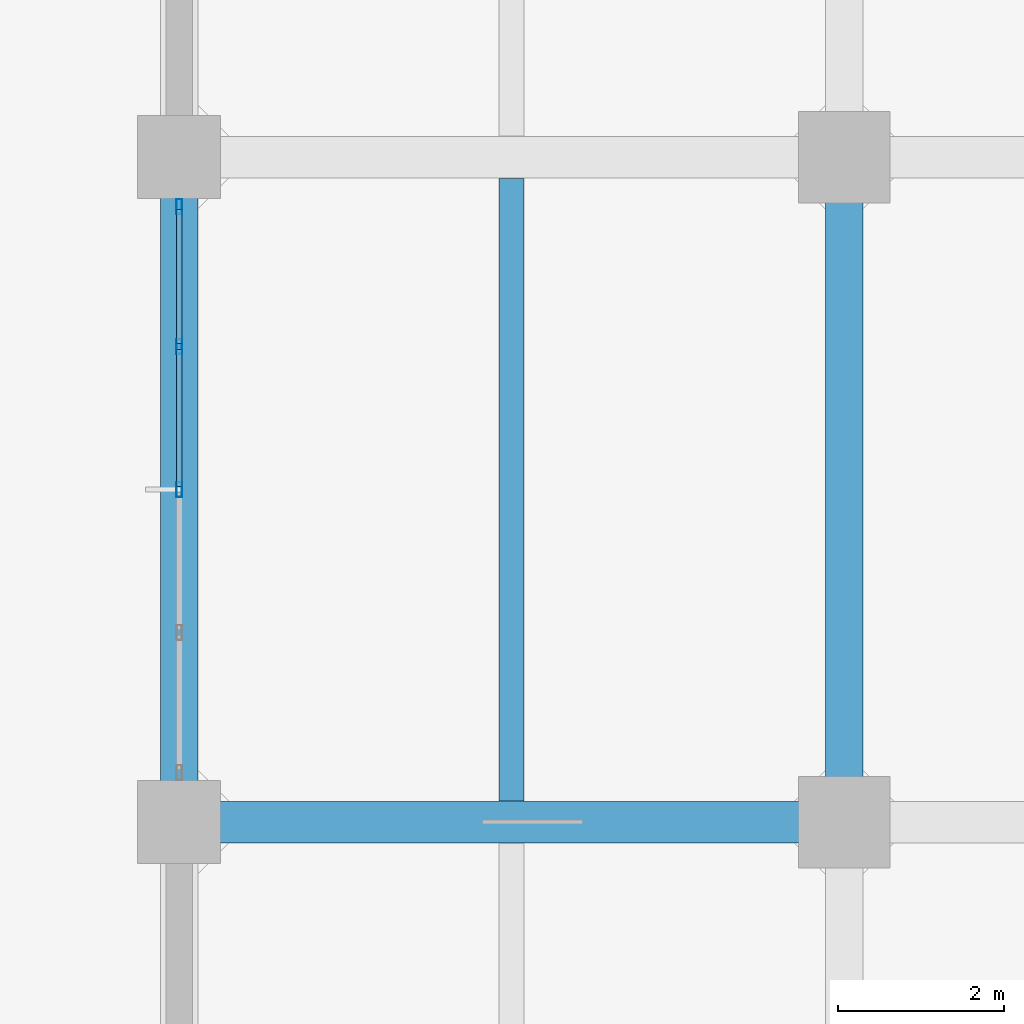
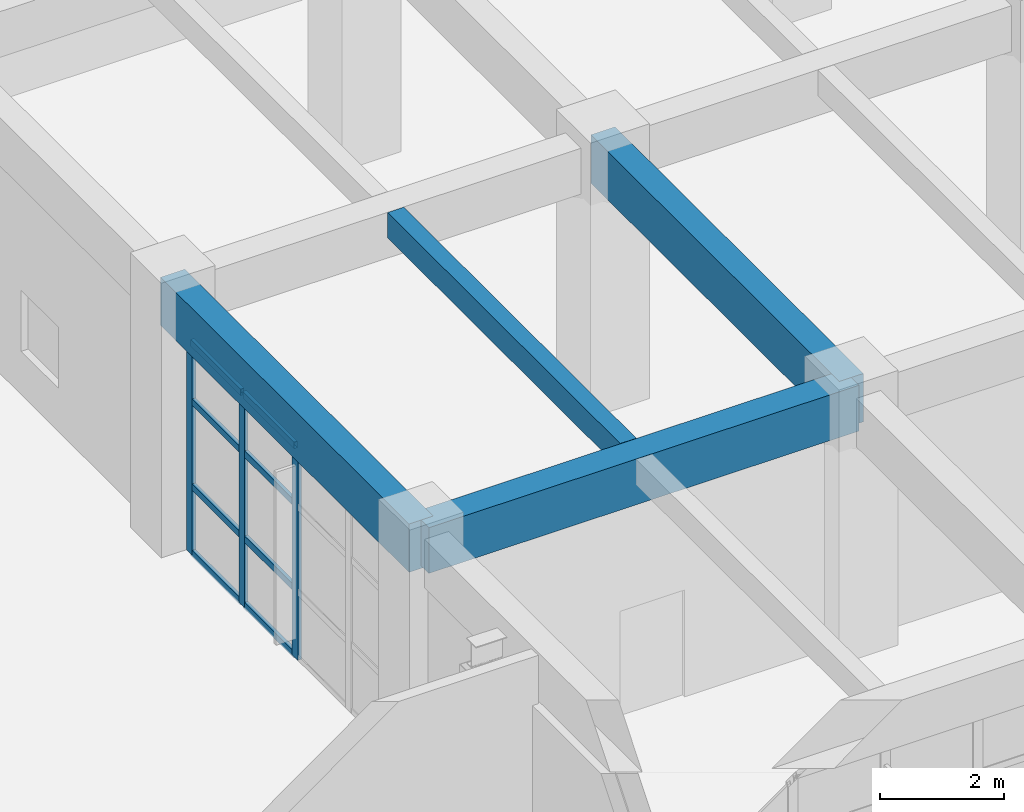
# One storey, part 38 of 90: 11 members, 4 beams, 1 element without a shape of its own.
"""IFC4 building model written with IfcOpenShell, lengths in metres."""

from ifc_helpers import new_model, si_unit, direction, frame, origin, origin_2d, place, context, subcontext, project, spatial, rectangle, hollow_rectangle, extrude, material, layer, layer_set, material_profile, profile_set, type_object, element, aggregate, save


model = new_model("IFC4")

# Units and contexts
model_context = context("Model", 3, precision=1e-05, world=origin(), true_north=direction((0.0, 1.0)))
body_context = subcontext(model_context, "Body", "Model", "MODEL_VIEW")
ifc_project = project(units=[si_unit("LENGTHUNIT", "METRE"), si_unit("AREAUNIT", "SQUARE_METRE"), si_unit("VOLUMEUNIT", "CUBIC_METRE"), si_unit("PLANEANGLEUNIT", "RADIAN"), si_unit("MASSUNIT", "GRAM", prefix="KILO")], contexts=[model_context])

# Site, building, storey
site_placement = place(None, origin())
site = spatial("IfcSite", under=ifc_project, at=site_placement, CompositionType="ELEMENT")
building_placement = place(site_placement, origin())
building = spatial("IfcBuilding", under=site, at=building_placement, Name="Canggui Botanical Conservatory", CompositionType="ELEMENT")
storey_placement = place(building_placement, origin())
storey = spatial("IfcBuildingStorey", under=building, at=storey_placement, Name="L01", CompositionType="ELEMENT", Elevation=0.0)

# Beams
ifc_material_1 = material(Name="Concrete C35", Category="concrete")
ifc_material_profile_1 = material_profile(ifc_material_1, rectangle(XDim=0.300048828125, YDim=0.5, at=origin_2d()), Name="RB 300x500")
ifc_profile_set_1 = profile_set([ifc_material_profile_1], Name="Concrete C35")
beam_type_1 = type_object("IfcBeamType", Name="BM-JST02", PredefinedType="JOIST", material=ifc_profile_set_1)
beam_1_placement = place(storey_placement, frame((134.0, 34.2548828125, 4.8701171875), z_axis=(0.0, 1.0, 0.0), x_axis=(-1.0, 0.0, 0.0)))
element("IfcBeam", 1, at=beam_1_placement, inside=storey, type_object=beam_type_1, Name="Secondary Floor Joist L01-1-2", PredefinedType="JOIST", context=body_context, shape_type="SweptSolid", body=[
    extrude(rectangle(XDim=0.300048828125, YDim=0.5, at=origin_2d()), origin(), (0.0, 0.0, 1.0), 7.490234375),
])
ifc_material_profile_2 = material_profile(ifc_material_1, rectangle(XDim=0.5, YDim=0.89990234375, at=origin_2d()), Name="RB 500x900")
ifc_profile_set_2 = profile_set([ifc_material_profile_2], Name="Concrete C35")
beam_type_2 = type_object("IfcBeamType", Name="BM-KL03", PredefinedType="BEAM", material=ifc_profile_set_2)
beam_2_placement = place(storey_placement, frame((130.0, 34.0, 4.669921875), z_axis=(1.0, 0.0, 0.0), x_axis=(0.0, 1.0, 0.0)))
element("IfcBeam", 2, at=beam_2_placement, inside=storey, type_object=beam_type_2, Name="Frame Girder L01 Y34-1", PredefinedType="BEAM", context=body_context, shape_type="SweptSolid", body=[
    extrude(rectangle(XDim=0.5, YDim=0.89990234375, at=origin_2d()), origin(), (0.0, 0.0, 1.0), 8.0),
])
ifc_material_profile_3 = material_profile(ifc_material_1, rectangle(XDim=0.449951171875, YDim=0.949951171875, at=origin_2d()), Name="RB 450x950")
ifc_profile_set_3 = profile_set([ifc_material_profile_3], Name="Concrete C35")
beam_type_3 = type_object("IfcBeamType", Name="BM-KL04", PredefinedType="BEAM", material=ifc_profile_set_3)
for number, where, z_axis, x_axis, name in (
    (3, (130.0, 34.0, 4.64501953125), (0.0, 1.0, 0.0), (-1.0, 0.0, 0.0), "Frame Girder L01 X130-2"),
    (4, (138.0, 34.0, 4.64501953125), (0.0, 1.0, 0.0), (-1.0, 0.0, 0.0), "Frame Girder L01 X138-2"),
):
    element("IfcBeam", number, at=place(storey_placement, frame(where, z_axis=z_axis, x_axis=x_axis)), inside=storey, type_object=beam_type_3, Name=name, PredefinedType="BEAM", context=body_context, shape_type="SweptSolid", body=[
        extrude(rectangle(XDim=0.449951171875, YDim=0.949951171875, at=origin_2d()), origin(), (0.0, 0.0, 1.0), 8.0),
    ])

# Curtain wall, members
ifc_material_2 = material(Name="Thermally Broken Aluminium", Category="aluminium")
ifc_layer = layer(ifc_material_2, 0.179931640625, Name="Thermally Broken Aluminium", Category="aluminium")
ifc_layer_set = layer_set([ifc_layer], Name="Thermally Broken Aluminium")
curtain_wall_type = type_object("IfcCurtainWallType", Name="CW-UNIT-A", PredefinedType="USERDEFINED", material=ifc_layer_set)
curtain_wall_placement = place(storey_placement, origin())
curtain_wall = element("IfcCurtainWall", 5, at=curtain_wall_placement, inside=storey, type_object=curtain_wall_type, Name="Facade Curtain Wall CW-TWR-L01-05", ObjectType="UNITISED CURTAIN WALL", PredefinedType="USERDEFINED")
ifc_material_profile_4 = material_profile(ifc_material_2, hollow_rectangle(XDim=0.070068359375, YDim=0.179931640625, WallThickness=0.00390625, at=origin_2d()), Name="CWM 70x180x4")
ifc_profile_set_4 = profile_set([ifc_material_profile_4], Name="Thermally Broken Aluminium")
member_type_1 = type_object("IfcMemberType", Name="CWM-01", PredefinedType="MULLION", material=ifc_profile_set_4)
member_1_placement = place(storey_placement, frame((130.0, 38.0, 0.0), z_axis=(0.0, 0.0, 1.0), x_axis=(-1.0, 0.0, 0.0)))
member_1 = element("IfcMember", 6, at=member_1_placement, type_object=member_type_1, Name="CW-01 mullion 3", PredefinedType="MULLION", context=body_context, shape_type="SweptSolid", body=[
    extrude(hollow_rectangle(XDim=0.070068359375, YDim=0.179931640625, WallThickness=0.00390625, at=origin_2d()), origin(), (0.0, 0.0, 1.0), 4.179931640625),
])
member_2_placement = place(storey_placement, frame((130.0, 39.719970703125, 0.0), z_axis=(0.0, 0.0, 1.0), x_axis=(-1.0, 0.0, 0.0)))
member_2 = element("IfcMember", 7, at=member_2_placement, type_object=member_type_1, Name="CW-01 mullion 4", PredefinedType="MULLION", context=body_context, shape_type="SweptSolid", body=[
    extrude(hollow_rectangle(XDim=0.070068359375, YDim=0.179931640625, WallThickness=0.00390625, at=origin_2d()), origin(), (0.0, 0.0, 1.0), 4.179931640625),
])
member_3_placement = place(storey_placement, frame((130.0, 41.405029296875, 0.0), z_axis=(0.0, 0.0, 1.0), x_axis=(-1.0, 0.0, 0.0)))
member_3 = element("IfcMember", 8, at=member_3_placement, type_object=member_type_1, Name="CW-01 mullion 5", PredefinedType="MULLION", context=body_context, shape_type="SweptSolid", body=[
    extrude(hollow_rectangle(XDim=0.070068359375, YDim=0.179931640625, WallThickness=0.00390625, at=origin_2d()), origin(), (0.0, 0.0, 1.0), 4.179931640625),
])
ifc_material_profile_5 = material_profile(ifc_material_2, hollow_rectangle(XDim=0.06494140625, YDim=0.1298828125, WallThickness=0.00341796875, at=origin_2d()), Name="CWT 65x130x3.5")
ifc_profile_set_5 = profile_set([ifc_material_profile_5], Name="Thermally Broken Aluminium")
member_type_2 = type_object("IfcMemberType", Name="CWT-01", PredefinedType="USERDEFINED", material=ifc_profile_set_5)
member_4_placement = place(storey_placement, frame((130.0, 38.034912109375, 0.032470703125), z_axis=(0.0, 1.0, 0.0), x_axis=(-1.0, 0.0, 0.0)))
member_4 = element("IfcMember", 9, at=member_4_placement, type_object=member_type_2, Name="CW-01 transom 3.1", ObjectType="TRANSOM", PredefinedType="USERDEFINED", context=body_context, shape_type="SweptSolid", body=[
    extrude(hollow_rectangle(XDim=0.06494140625, YDim=0.1298828125, WallThickness=0.00341796875, at=origin_2d()), origin(), (0.0, 0.0, 1.0), 1.650146484375),
])
member_5_placement = place(storey_placement, frame((130.0, 38.034912109375, 1.337646484375), z_axis=(0.0, 1.0, 0.0), x_axis=(-1.0, 0.0, 0.0)))
member_5 = element("IfcMember", 10, at=member_5_placement, type_object=member_type_2, Name="CW-01 transom 3.2", ObjectType="TRANSOM", PredefinedType="USERDEFINED", context=body_context, shape_type="SweptSolid", body=[
    extrude(hollow_rectangle(XDim=0.06494140625, YDim=0.1298828125, WallThickness=0.00341796875, at=origin_2d()), origin(), (0.0, 0.0, 1.0), 1.650146484375),
])
member_6_placement = place(storey_placement, frame((130.0, 38.034912109375, 3.009521484375), z_axis=(0.0, 1.0, 0.0), x_axis=(-1.0, 0.0, 0.0)))
member_6 = element("IfcMember", 11, at=member_6_placement, type_object=member_type_2, Name="CW-01 transom 3.3", ObjectType="TRANSOM", PredefinedType="USERDEFINED", context=body_context, shape_type="SweptSolid", body=[
    extrude(hollow_rectangle(XDim=0.06494140625, YDim=0.1298828125, WallThickness=0.00341796875, at=origin_2d()), origin(), (0.0, 0.0, 1.0), 1.650146484375),
])
member_7_placement = place(storey_placement, frame((130.0, 38.034912109375, 4.1474609375), z_axis=(0.0, 1.0, 0.0), x_axis=(-1.0, 0.0, 0.0)))
member_7 = element("IfcMember", 12, at=member_7_placement, type_object=member_type_2, Name="CW-01 transom 3.4", ObjectType="TRANSOM", PredefinedType="USERDEFINED", context=body_context, shape_type="SweptSolid", body=[
    extrude(hollow_rectangle(XDim=0.06494140625, YDim=0.1298828125, WallThickness=0.00341796875, at=origin_2d()), origin(), (0.0, 0.0, 1.0), 1.650146484375),
])
member_8_placement = place(storey_placement, frame((130.0, 39.7548828125, 0.032470703125), z_axis=(0.0, 1.0, 0.0), x_axis=(-1.0, 0.0, 0.0)))
member_8 = element("IfcMember", 13, at=member_8_placement, type_object=member_type_2, Name="CW-01 transom 4.1", ObjectType="TRANSOM", PredefinedType="USERDEFINED", context=body_context, shape_type="SweptSolid", body=[
    extrude(hollow_rectangle(XDim=0.06494140625, YDim=0.1298828125, WallThickness=0.00341796875, at=origin_2d()), origin(), (0.0, 0.0, 1.0), 1.615234375),
])
member_9_placement = place(storey_placement, frame((130.0, 39.7548828125, 1.337646484375), z_axis=(0.0, 1.0, 0.0), x_axis=(-1.0, 0.0, 0.0)))
member_9 = element("IfcMember", 14, at=member_9_placement, type_object=member_type_2, Name="CW-01 transom 4.2", ObjectType="TRANSOM", PredefinedType="USERDEFINED", context=body_context, shape_type="SweptSolid", body=[
    extrude(hollow_rectangle(XDim=0.06494140625, YDim=0.1298828125, WallThickness=0.00341796875, at=origin_2d()), origin(), (0.0, 0.0, 1.0), 1.615234375),
])
member_10_placement = place(storey_placement, frame((130.0, 39.7548828125, 3.009521484375), z_axis=(0.0, 1.0, 0.0), x_axis=(-1.0, 0.0, 0.0)))
member_10 = element("IfcMember", 15, at=member_10_placement, type_object=member_type_2, Name="CW-01 transom 4.3", ObjectType="TRANSOM", PredefinedType="USERDEFINED", context=body_context, shape_type="SweptSolid", body=[
    extrude(hollow_rectangle(XDim=0.06494140625, YDim=0.1298828125, WallThickness=0.00341796875, at=origin_2d()), origin(), (0.0, 0.0, 1.0), 1.615234375),
])
member_11_placement = place(storey_placement, frame((130.0, 39.7548828125, 4.1474609375), z_axis=(0.0, 1.0, 0.0), x_axis=(-1.0, 0.0, 0.0)))
member_11 = element("IfcMember", 16, at=member_11_placement, type_object=member_type_2, Name="CW-01 transom 4.4", ObjectType="TRANSOM", PredefinedType="USERDEFINED", context=body_context, shape_type="SweptSolid", body=[
    extrude(hollow_rectangle(XDim=0.06494140625, YDim=0.1298828125, WallThickness=0.00341796875, at=origin_2d()), origin(), (0.0, 0.0, 1.0), 1.615234375),
])
aggregate(curtain_wall, [member_1, member_2, member_3, member_4, member_5, member_6, member_7, member_8, member_9, member_10, member_11])

save(model, "model.ifc")
